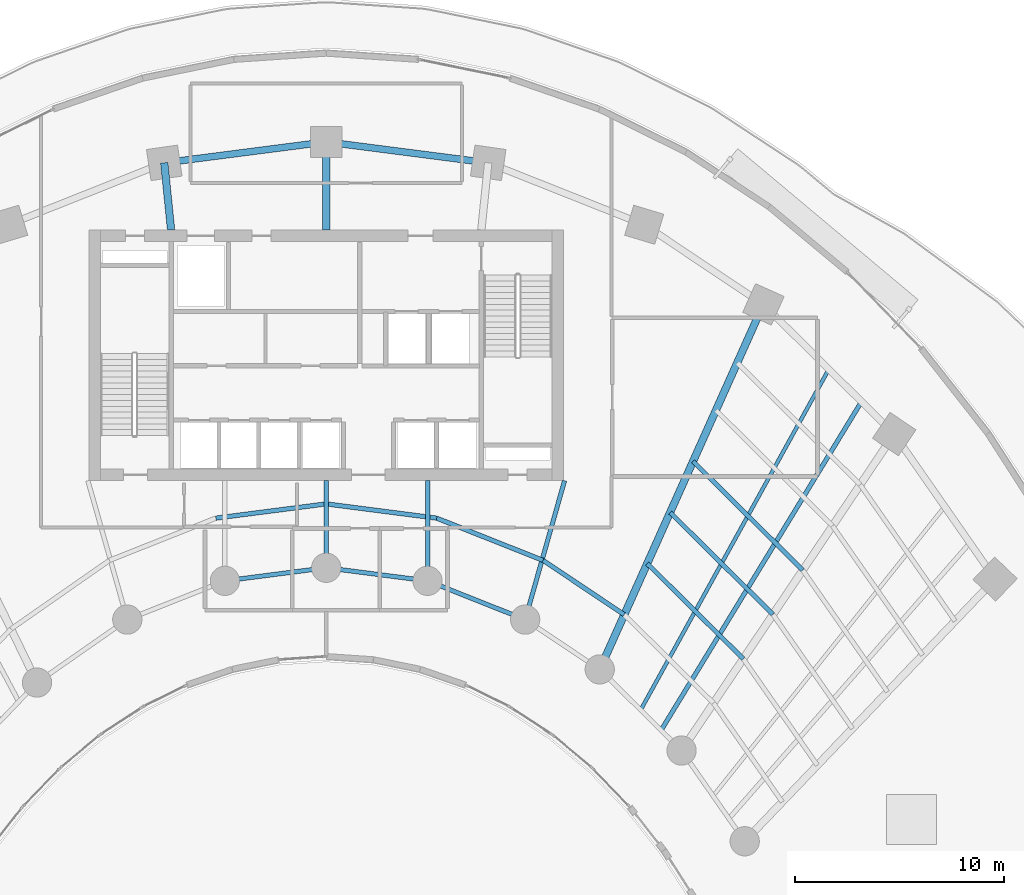
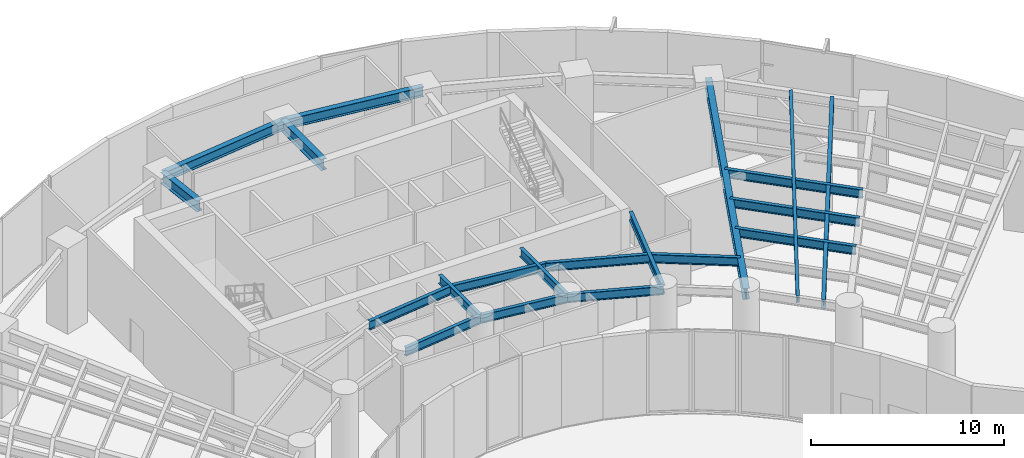
# One storey, part 5 of 17: 20 beams.
"""IFC4 building model written with IfcOpenShell, lengths in metres."""

import ifcopenshell
import ifcopenshell.guid

model = None  # the IFC model being written
_history = None  # IfcOwnerHistory: only IFC2X3 demands one
_inside = {}  # id of a spatial element -> (the spatial element, [elements in it])
_under = {}  # id of a project, library or spatial element -> (it, [spatial elements below it])
_declared = {}  # id of a project -> (the project, [libraries it declares])
_typed = {}  # id of a type object -> (the type object, [elements of that type])
_made_of = {}  # id of a material, layer set ... -> (it, [elements and type objects made of it])


def new_model(schema):
    """Start an empty IFC model of exactly this schema.

    Asked for "IFC4X3", IfcOpenShell would pick the latest addendum, in which some entities
    have other attributes; the version numbers below select the first issue.
    IFC2X3 requires an IfcOwnerHistory on every rooted entity: one is made here for all.
    """
    global model, _history
    if schema == "IFC4X3":
        model = ifcopenshell.file(schema_version=(4, 3, 0, 0))
    else:
        model = ifcopenshell.file(schema=schema)
    _inside.clear()
    _under.clear()
    _declared.clear()
    _typed.clear()
    _made_of.clear()
    _history = None
    if model.schema == "IFC2X3":
        org = make("IfcOrganization", Name="unknown")
        user = make(
            "IfcPersonAndOrganization",
            ThePerson=make("IfcPerson", FamilyName="unknown"),
            TheOrganization=org,
        )
        app = make(
            "IfcApplication",
            ApplicationDeveloper=org,
            Version="unknown",
            ApplicationFullName="unknown",
            ApplicationIdentifier="unknown",
        )
        _history = make(
            "IfcOwnerHistory",
            OwningUser=user,
            OwningApplication=app,
            ChangeAction="ADDED",
            CreationDate=0,
        )
    return model


def make(cls, **values):
    """One entity of the class cls with the attributes given. An attribute that is None is left unset."""
    return model.create_entity(
        cls, **{name: value for name, value in values.items() if value is not None}
    )


def rooted(cls, **values):
    """An entity with a GlobalId (a new one), such as an element, a storey or a relation."""
    return make(cls, GlobalId=ifcopenshell.guid.new(), OwnerHistory=_history, **values)


def si_unit(unit_type, name, prefix=None):
    """IfcSIUnit, for example si_unit("LENGTHUNIT", "METRE", prefix="MILLI")."""
    return make("IfcSIUnit", UnitType=unit_type, Prefix=prefix, Name=name)


def assignment(units):
    """IfcUnitAssignment: the units of a project."""
    return None if units is None else make("IfcUnitAssignment", Units=units)


def point(xyz):
    """IfcCartesianPoint."""
    return None if xyz is None else make("IfcCartesianPoint", Coordinates=xyz)


def direction(xyz):
    """IfcDirection."""
    return None if xyz is None else make("IfcDirection", DirectionRatios=xyz)


def frame(location, z_axis=None, x_axis=None):
    """IfcAxis2Placement3D, a coordinate frame: its origin and axes. An axis left out is left unset."""
    return make(
        "IfcAxis2Placement3D",
        Location=point(location),
        Axis=direction(z_axis),
        RefDirection=direction(x_axis),
    )


def frame_2d(location, x_axis=None):
    """IfcAxis2Placement2D, a coordinate frame in the plane: its origin and x axis."""
    return make(
        "IfcAxis2Placement2D", Location=point(location), RefDirection=direction(x_axis)
    )


def origin():
    """The frame at (0, 0, 0) with its axes left unset."""
    return frame((0.0, 0.0, 0.0))


def origin_2d():
    """The frame at (0, 0) in the plane with its x axis left unset."""
    return frame_2d((0.0, 0.0))


def place(relative_to, where):
    """IfcLocalPlacement: puts the frame where relative to a parent placement (None: the world)."""
    return make(
        "IfcLocalPlacement", PlacementRelTo=relative_to, RelativePlacement=where
    )


def context(
    kind, dimensions, precision=None, world=None, true_north=None, identifier=None
):
    """IfcGeometricRepresentationContext, for example the 3D "Model" context."""
    return make(
        "IfcGeometricRepresentationContext",
        ContextIdentifier=identifier,
        ContextType=kind,
        CoordinateSpaceDimension=dimensions,
        Precision=precision,
        WorldCoordinateSystem=world,
        TrueNorth=true_north,
    )


def subcontext(parent, identifier, kind, view, scale=None):
    """IfcGeometricRepresentationSubContext, for example "Body" below "Model"."""
    return make(
        "IfcGeometricRepresentationSubContext",
        ContextIdentifier=identifier,
        ContextType=kind,
        ParentContext=parent,
        TargetScale=scale,
        TargetView=view,
    )


def project(units=None, contexts=None):
    """IfcProject with its units and contexts."""
    return rooted(
        "IfcProject",
        Name="project",
        RepresentationContexts=contexts,
        UnitsInContext=assignment(units),
    )


def spatial(cls, under=None, at=None, **own):
    """A site, building, storey or space (cls), placed at a placement, below another one or the project."""
    s = rooted(cls, ObjectPlacement=at, **own)
    if under is not None:
        _under.setdefault(under.id(), (under, []))[1].append(s)
    return s


def profile(cls, at=None, kind="AREA", **sizes):
    """A parametric profile (cls). Its sizes go by their IFC names, for example OverallWidth=200.0."""
    return make(cls, ProfileType=kind, Position=at, **sizes)


def i_section(**sizes):
    """IfcIShapeProfileDef."""
    return profile("IfcIShapeProfileDef", **sizes)


def extrude(swept, where, along, depth):
    """IfcExtrudedAreaSolid: the profile swept, set in the frame where, extruded along a direction by depth."""
    return make(
        "IfcExtrudedAreaSolid",
        SweptArea=swept,
        Position=where,
        ExtrudedDirection=direction(along),
        Depth=depth,
    )


def shape(context_of_items, identifier, shape_type, items):
    """IfcShapeRepresentation: the items that make up one representation, for example the "Body"."""
    return make(
        "IfcShapeRepresentation",
        ContextOfItems=context_of_items,
        RepresentationIdentifier=identifier,
        RepresentationType=shape_type,
        Items=items,
    )


def source(mapping_origin, context_of_items, identifier, shape_type, items):
    """IfcRepresentationMap: a shape defined once, which mapped items show again and again."""
    return make(
        "IfcRepresentationMap",
        MappingOrigin=mapping_origin,
        MappedRepresentation=shape(context_of_items, identifier, shape_type, items),
    )


def transform(
    local_origin,
    x_axis=None,
    y_axis=None,
    z_axis=None,
    scale=None,
    scale2=None,
    scale3=None,
    uniform=True,
):
    """IfcCartesianTransformationOperator3D, or its non-uniform kind. x_axis, y_axis, z_axis: its Axis1, 2, 3."""
    if uniform:
        return make(
            "IfcCartesianTransformationOperator3D",
            Axis1=direction(x_axis),
            Axis2=direction(y_axis),
            LocalOrigin=point(local_origin),
            Scale=scale,
            Axis3=direction(z_axis),
        )
    return make(
        "IfcCartesianTransformationOperator3DnonUniform",
        Axis1=direction(x_axis),
        Axis2=direction(y_axis),
        LocalOrigin=point(local_origin),
        Scale=scale,
        Axis3=direction(z_axis),
        Scale2=scale2,
        Scale3=scale3,
    )


def mapped(mapping_source, mapping_target):
    """IfcMappedItem: shows the shape of a source again, moved by a transform."""
    return make(
        "IfcMappedItem", MappingSource=mapping_source, MappingTarget=mapping_target
    )


def material(Name=None, Category=None):
    """IfcMaterial."""
    return make("IfcMaterial", Name=Name, Category=Category)


def material_profile(
    of_material, cross_section, Name=None, Category=None, Priority=None
):
    """IfcMaterialProfile: a cross section and its material."""
    return make(
        "IfcMaterialProfile",
        Name=Name,
        Material=of_material,
        Profile=cross_section,
        Priority=Priority,
        Category=Category,
    )


def profile_set(profiles, Name=None, composite=None):
    """IfcMaterialProfileSet."""
    return make(
        "IfcMaterialProfileSet",
        Name=Name,
        MaterialProfiles=profiles,
        CompositeProfile=composite,
    )


def made_of(thing, what):
    """Note that an element or type object is made of a material, layer set ...; save() writes the relation."""
    if what is not None:
        _made_of.setdefault(what.id(), (what, []))[1].append(thing)
    return thing


def type_object(cls, material=None, **own):
    """A type object (cls), such as IfcWallType, which elements share."""
    return made_of(rooted(cls, **own), material)


def type_shapes(of_type, sources):
    """Give a type object the sources (RepresentationMaps) that its elements show as mapped items."""
    of_type.RepresentationMaps = sources


def element(
    cls,
    number,
    at=None,
    inside=None,
    cuts=None,
    type_object=None,
    material=None,
    context=None,
    identifier="Body",
    shape_type=None,
    held_by="IfcProductDefinitionShape",
    body=None,
    shapes=None,
    **own,
):
    """One element of the class cls, such as IfcWall. Its Tag is "e" and its number.

    at: its placement. inside: the storey or other place that contains it. cuts: it is an
    opening in that element (IfcRelVoidsElement). A single representation is given by context,
    identifier, shape_type and body (its items); several are given by shapes. held_by: the class
    of the entity that holds the representations. save() writes the other relations.
    """
    e = rooted(cls, Tag="e%d" % number, ObjectPlacement=at, **own)
    if body is not None:
        shapes = [shape(context, identifier, shape_type, body)]
    if shapes is not None:
        e.Representation = make(held_by, Representations=shapes)
    if inside is not None:
        _inside.setdefault(inside.id(), (inside, []))[1].append(e)
    if cuts is not None:
        rooted(
            "IfcRelVoidsElement", RelatingBuildingElement=cuts, RelatedOpeningElement=e
        )
    if type_object is not None:
        _typed.setdefault(type_object.id(), (type_object, []))[1].append(e)
    return made_of(e, material)


def aggregate(whole, parts):
    """IfcRelAggregates: a whole, such as a stair, and the parts it consists of."""
    return rooted("IfcRelAggregates", RelatingObject=whole, RelatedObjects=parts)


def save(model, path):
    """Write the relations noted so far, then the file.

    IfcRelAggregates (storeys below a building ...), IfcRelContainedInSpatialStructure (elements
    in a storey), IfcRelDefinesByType, IfcRelAssociatesMaterial and IfcRelDeclares: one each for
    every whole, place, type object, material and project.
    """
    for whole, parts in _under.values():
        aggregate(whole, parts)
    for where, things in _inside.values():
        rooted(
            "IfcRelContainedInSpatialStructure",
            RelatedElements=things,
            RelatingStructure=where,
        )
    for kind, things in _typed.values():
        rooted("IfcRelDefinesByType", RelatedObjects=things, RelatingType=kind)
    for what, things in _made_of.values():
        rooted("IfcRelAssociatesMaterial", RelatedObjects=things, RelatingMaterial=what)
    for by, libraries in _declared.values():
        rooted("IfcRelDeclares", RelatingContext=by, RelatedDefinitions=libraries)
    model.write(path)


model = new_model("IFC4")

# Units and contexts
model_context = context("Model", 3, precision=1e-05, world=origin(), true_north=direction((0.0, 1.0)))
body_context = subcontext(model_context, "Body", "Model", "MODEL_VIEW")
ifc_project = project(units=[si_unit("LENGTHUNIT", "METRE"), si_unit("AREAUNIT", "SQUARE_METRE"), si_unit("VOLUMEUNIT", "CUBIC_METRE"), si_unit("PLANEANGLEUNIT", "RADIAN"), si_unit("MASSUNIT", "GRAM", prefix="KILO")], contexts=[model_context])

# Site, building, storey
site_placement = place(None, origin())
site = spatial("IfcSite", under=ifc_project, at=site_placement, CompositionType="ELEMENT")
building_placement = place(site_placement, origin())
building = spatial("IfcBuilding", under=site, at=building_placement, Name="Breltana Convention Tower", CompositionType="ELEMENT")
storey_placement = place(building_placement, frame((0.0, 0.0, 30.0)))
storey = spatial("IfcBuildingStorey", under=building, at=storey_placement, Name="L05", CompositionType="ELEMENT", Elevation=30.0)

# Beams
ifc_material = material(Name="Steel ASTM A992 Grade 50", Category="steel")
ifc_material_profile_1 = material_profile(ifc_material, i_section(OverallWidth=0.323974609375, OverallDepth=0.611083984375, WebThickness=0.0126953125, FlangeThickness=0.01904296875, at=origin_2d()), Name="W24X104")
ifc_profile_set_1 = profile_set([ifc_material_profile_1], Name="Steel ASTM A992 Grade 50")
beam_type_1 = type_object("IfcBeamType", Name="BM-SP-W24X104", PredefinedType="SPANDREL", material=ifc_profile_set_1)
shared_shape_1 = source(origin(), body_context, "Body", "SweptSolid", [
    extrude(i_section(OverallWidth=0.323974609375, OverallDepth=0.611083984375, WebThickness=0.0126953125, FlangeThickness=0.01904296875, at=origin_2d()), origin(), (0.0, 0.0, 1.0), 7.81103515625),
])
for number, where, z_axis, x_axis, name in (
    (1, (40.253173828125, 75.404296875, 4.8544921875), (0.991775179127, 0.127992164083, 0.0), (-0.127992164083, 0.991775179127, 0.0), "L05 Outer Spandrel Beam 05"),
    (2, (48.0, 76.404052734375, 4.8544921875), (0.991775179127, -0.127992164083, 0.0), (0.127992164083, 0.991775179127, 0.0), "L05 Outer Spandrel Beam 06"),
):
    element("IfcBeam", number, at=place(storey_placement, frame(where, z_axis=z_axis, x_axis=x_axis)), inside=storey, type_object=beam_type_1, Name=name, PredefinedType="SPANDREL", context=body_context, shape_type="MappedRepresentation", body=[
        mapped(shared_shape_1, transform((0.0, 0.0, 0.0), scale=1.0)),
    ])
ifc_material_profile_2 = material_profile(ifc_material, i_section(OverallWidth=0.2099609375, OverallDepth=0.537109375, WebThickness=0.010986328125, FlangeThickness=0.017333984375, at=origin_2d()), Name="W21X68")
ifc_profile_set_2 = profile_set([ifc_material_profile_2], Name="Steel ASTM A992 Grade 50")
beam_type_2 = type_object("IfcBeamType", Name="BM-BM-W21X68", PredefinedType="BEAM", material=ifc_profile_set_2)
shared_shape_2 = source(origin(), body_context, "Body", "SweptSolid", [
    extrude(i_section(OverallWidth=0.2099609375, OverallDepth=0.537109375, WebThickness=0.010986328125, FlangeThickness=0.017333984375, at=origin_2d()), origin(), (0.0, 0.0, 1.0), 6.904541015625),
])
type_shapes(beam_type_2, [shared_shape_2])
beam_1_placement = place(storey_placement, frame((59.39990234375, 60.199951171875, 4.8916015625), z_axis=(-0.273006781054, -0.962012108811, 0.0), x_axis=(0.962012108811, -0.273006781054, 0.0)))
element("IfcBeam", 3, at=beam_1_placement, inside=storey, type_object=beam_type_2, Name="L05 South Core Tie Girder R08", PredefinedType="BEAM", context=body_context, shape_type="MappedRepresentation", body=[
    mapped(shared_shape_2, transform((0.0, 0.0, 0.0), scale=1.0)),
])
shared_shape_3 = source(origin(), body_context, "Body", "SweptSolid", [
    extrude(i_section(OverallWidth=0.2099609375, OverallDepth=0.537109375, WebThickness=0.010986328125, FlangeThickness=0.017333984375, at=origin_2d()), origin(), (0.0, 0.0, 1.0), 4.789306640625),
])
beam_2_placement = place(storey_placement, frame((52.846435546875, 60.199951171875, 4.8916015625), z_axis=(0.0, -1.0, 0.0), x_axis=(1.0, 0.0, 0.0)))
element("IfcBeam", 4, at=beam_2_placement, inside=storey, type_object=beam_type_2, Name="L05 South Core Tie Girder R07", PredefinedType="BEAM", context=body_context, shape_type="MappedRepresentation", body=[
    mapped(shared_shape_3, transform((0.0, 0.0, 0.0), scale=1.0)),
])
ifc_material_profile_3 = material_profile(ifc_material, i_section(OverallWidth=0.35498046875, OverallDepth=0.696044921875, WebThickness=0.015380859375, FlangeThickness=0.02490234375, at=origin_2d()), Name="W27X146")
ifc_profile_set_3 = profile_set([ifc_material_profile_3], Name="Steel ASTM A992 Grade 50")
beam_type_3 = type_object("IfcBeamType", Name="BM-RG-W27X146", PredefinedType="USERDEFINED", material=ifc_profile_set_3)
shared_shape_4 = source(origin(), body_context, "Body", "SweptSolid", [
    extrude(i_section(OverallWidth=0.35498046875, OverallDepth=0.696044921875, WebThickness=0.015380859375, FlangeThickness=0.02490234375, at=origin_2d()), origin(), (0.0, 0.0, 1.0), 3.220947265625),
])
beam_3_placement = place(storey_placement, frame((40.580078125, 72.199951171875, 4.81201171875), z_axis=(-0.101492254858, 0.994836329355, 0.0), x_axis=(-0.994836329355, -0.101492254858, 0.0)))
element("IfcBeam", 5, at=beam_3_placement, inside=storey, type_object=beam_type_3, Name="L05 North Core Radial Girder R05", ObjectType="GIRDER", PredefinedType="USERDEFINED", context=body_context, shape_type="MappedRepresentation", body=[
    mapped(shared_shape_4, transform((0.0, 0.0, 0.0), scale=1.0)),
])
shared_shape_5 = source(origin(), body_context, "Body", "SweptSolid", [
    extrude(i_section(OverallWidth=0.2099609375, OverallDepth=0.537109375, WebThickness=0.010986328125, FlangeThickness=0.017333984375, at=origin_2d()), origin(), (0.0, 0.0, 1.0), 4.1640625),
])
beam_4_placement = place(storey_placement, frame((48.0, 60.199951171875, 4.8916015625), z_axis=(0.0, -1.0, 0.0), x_axis=(1.0, 0.0, 0.0)))
element("IfcBeam", 6, at=beam_4_placement, inside=storey, type_object=beam_type_2, Name="L05 South Core Tie Girder R06", PredefinedType="BEAM", context=body_context, shape_type="MappedRepresentation", body=[
    mapped(shared_shape_5, transform((0.0, 0.0, 0.0), scale=1.0)),
])
shared_shape_6 = source(origin(), body_context, "Body", "SweptSolid", [
    extrude(i_section(OverallWidth=0.35498046875, OverallDepth=0.696044921875, WebThickness=0.015380859375, FlangeThickness=0.02490234375, at=origin_2d()), origin(), (0.0, 0.0, 1.0), 4.2041015625),
])
beam_5_placement = place(storey_placement, frame((48.0, 72.199951171875, 4.81201171875), z_axis=(0.0, 1.0, 0.0), x_axis=(-1.0, 0.0, 0.0)))
element("IfcBeam", 7, at=beam_5_placement, inside=storey, type_object=beam_type_3, Name="L05 North Core Radial Girder R06", ObjectType="GIRDER", PredefinedType="USERDEFINED", context=body_context, shape_type="MappedRepresentation", body=[
    mapped(shared_shape_6, transform((0.0, 0.0, 0.0), scale=1.0)),
])
shared_shape_7 = source(origin(), body_context, "Body", "SweptSolid", [
    extrude(i_section(OverallWidth=0.35498046875, OverallDepth=0.696044921875, WebThickness=0.015380859375, FlangeThickness=0.02490234375, at=origin_2d()), origin(), (0.0, 0.0, 1.0), 19.133544921875),
])
beam_6_placement = place(storey_placement, frame((61.08203125, 51.174560546875, 4.81201171875), z_axis=(0.409144564164, 0.912469575172, 0.0), x_axis=(-0.912469575172, 0.409144564164, 0.0)))
element("IfcBeam", 8, at=beam_6_placement, inside=storey, type_object=beam_type_3, Name="L05 Radial Floor Girder R09", ObjectType="GIRDER", PredefinedType="USERDEFINED", context=body_context, shape_type="MappedRepresentation", body=[
    mapped(shared_shape_7, transform((0.0, 0.0, 0.0), scale=1.0)),
])
shared_shape_8 = source(origin(), body_context, "Body", "SweptSolid", [
    extrude(i_section(OverallWidth=0.2099609375, OverallDepth=0.537109375, WebThickness=0.010986328125, FlangeThickness=0.017333984375, at=origin_2d()), origin(), (0.0, 0.0, 1.0), 5.022705078125),
])
beam_7_placement = place(storey_placement, frame((52.846435546875, 55.41064453125, 4.8916015625), z_axis=(0.929458966248, -0.368925507469, 0.0), x_axis=(0.368925507469, 0.929458966248, 0.0)))
element("IfcBeam", 9, at=beam_7_placement, inside=storey, type_object=beam_type_2, Name="L05 Inner Ring Beam 07", PredefinedType="BEAM", context=body_context, shape_type="MappedRepresentation", body=[
    mapped(shared_shape_8, transform((0.0, 0.0, 0.0), scale=1.0)),
])
ifc_material_profile_4 = material_profile(ifc_material, i_section(OverallWidth=0.214111328125, OverallDepth=0.549072265625, WebThickness=0.0146484375, FlangeThickness=0.023681640625, at=origin_2d()), Name="W21X93")
ifc_profile_set_4 = profile_set([ifc_material_profile_4], Name="Steel ASTM A992 Grade 50")
beam_type_4 = type_object("IfcBeamType", Name="BM-JSG-03", PredefinedType="JOIST", material=ifc_profile_set_4)
shared_shape_9 = source(origin(), body_context, "Body", "SweptSolid", [
    extrude(i_section(OverallWidth=0.214111328125, OverallDepth=0.549072265625, WebThickness=0.0146484375, FlangeThickness=0.023681640625, at=origin_2d()), origin(), (0.0, 0.0, 1.0), 5.473876953125),
])
beam_8_placement = place(storey_placement, frame((53.281494140625, 58.409912109375, 4.885498046875), z_axis=(0.92945162863, -0.368943993091, 0.0), x_axis=(0.368943993091, 0.92945162863, 0.0)))
element("IfcBeam", 10, at=beam_8_placement, inside=storey, type_object=beam_type_4, Name="L05 Composite Floor Joist 07.1", PredefinedType="JOIST", context=body_context, shape_type="MappedRepresentation", body=[
    mapped(shared_shape_9, transform((0.0, 0.0, 0.0), scale=1.0)),
])
shared_shape_10 = source(origin(), body_context, "Body", "SweptSolid", [
    extrude(i_section(OverallWidth=0.2099609375, OverallDepth=0.537109375, WebThickness=0.010986328125, FlangeThickness=0.017333984375, at=origin_2d()), origin(), (0.0, 0.0, 1.0), 4.88671875),
])
for number, where, z_axis, x_axis, name in (
    (11, (43.153564453125, 55.41064453125, 4.8916015625), (0.991780525565, 0.127950729231, 0.0), (-0.127950729231, 0.991780525565, 0.0), "L05 Inner Ring Beam 05"),
    (12, (48.0, 56.035888671875, 4.8916015625), (0.991780525565, -0.127950729231, 0.0), (0.127950729231, 0.991780525565, 0.0), "L05 Inner Ring Beam 06"),
):
    element("IfcBeam", number, at=place(storey_placement, frame(where, z_axis=z_axis, x_axis=x_axis)), inside=storey, type_object=beam_type_2, Name=name, PredefinedType="BEAM", context=body_context, shape_type="MappedRepresentation", body=[
        mapped(shared_shape_10, transform((0.0, 0.0, 0.0), scale=1.0)),
    ])
shared_shape_11 = source(origin(), body_context, "Body", "SweptSolid", [
    extrude(i_section(OverallWidth=0.214111328125, OverallDepth=0.549072265625, WebThickness=0.0146484375, FlangeThickness=0.023681640625, at=origin_2d()), origin(), (0.0, 0.0, 1.0), 5.3251953125),
])
for number, where, z_axis, x_axis, name in (
    (13, (42.718505859375, 58.409912109375, 4.885498046875), (0.991779931204, 0.127955336199, 0.0), (-0.127955336199, 0.991779931204, 0.0), "L05 Composite Floor Joist 05.1"),
    (14, (48.0, 59.09130859375, 4.885498046875), (0.991779931204, -0.127955336199, 0.0), (0.127955336199, 0.991779931204, 0.0), "L05 Composite Floor Joist 06.1"),
):
    element("IfcBeam", number, at=place(storey_placement, frame(where, z_axis=z_axis, x_axis=x_axis)), inside=storey, type_object=beam_type_4, Name=name, PredefinedType="JOIST", context=body_context, shape_type="MappedRepresentation", body=[
        mapped(shared_shape_11, transform((0.0, 0.0, 0.0), scale=1.0)),
    ])
shared_shape_12 = source(origin(), body_context, "Body", "SweptSolid", [
    extrude(i_section(OverallWidth=0.214111328125, OverallDepth=0.549072265625, WebThickness=0.0146484375, FlangeThickness=0.023681640625, at=origin_2d()), origin(), (0.0, 0.0, 1.0), 4.675048828125),
])
beam_9_placement = place(storey_placement, frame((58.369140625, 56.390380859375, 4.885498046875), z_axis=(0.831487469976, -0.555543506193, 0.0), x_axis=(0.555543506193, 0.831487469976, 0.0)))
element("IfcBeam", 15, at=beam_9_placement, inside=storey, type_object=beam_type_4, Name="L05 Composite Floor Joist 08.1", PredefinedType="JOIST", context=body_context, shape_type="MappedRepresentation", body=[
    mapped(shared_shape_12, transform((0.0, 0.0, 0.0), scale=1.0)),
])
shared_shape_13 = source(origin(), body_context, "Body", "SweptSolid", [
    extrude(i_section(OverallWidth=0.214111328125, OverallDepth=0.549072265625, WebThickness=0.0146484375, FlangeThickness=0.023681640625, at=origin_2d()), origin(), (0.0, 0.0, 1.0), 6.468017578125),
])
beam_10_placement = place(storey_placement, frame((63.352294921875, 56.237548828125, 4.885498046875), z_axis=(0.710101160442, -0.704099667617, 0.0), x_axis=(0.704099667617, 0.710101160442, 0.0)))
element("IfcBeam", 16, at=beam_10_placement, inside=storey, type_object=beam_type_4, Name="L05 Composite Floor Joist 09.2", PredefinedType="JOIST", context=body_context, shape_type="MappedRepresentation", body=[
    mapped(shared_shape_13, transform((0.0, 0.0, 0.0), scale=1.0)),
])
shared_shape_14 = source(origin(), body_context, "Body", "SweptSolid", [
    extrude(i_section(OverallWidth=0.214111328125, OverallDepth=0.549072265625, WebThickness=0.0146484375, FlangeThickness=0.023681640625, at=origin_2d()), origin(), (0.0, 0.0, 1.0), 6.93017578125),
])
beam_11_placement = place(storey_placement, frame((64.4482421875, 58.681884765625, 4.885498046875), z_axis=(0.710112451674, -0.70408827996, 0.0), x_axis=(0.70408827996, 0.710112451674, 0.0)))
element("IfcBeam", 17, at=beam_11_placement, inside=storey, type_object=beam_type_4, Name="L05 Composite Floor Joist 09.3", PredefinedType="JOIST", context=body_context, shape_type="MappedRepresentation", body=[
    mapped(shared_shape_14, transform((0.0, 0.0, 0.0), scale=1.0)),
])
shared_shape_15 = source(origin(), body_context, "Body", "SweptSolid", [
    extrude(i_section(OverallWidth=0.214111328125, OverallDepth=0.549072265625, WebThickness=0.0146484375, FlangeThickness=0.023681640625, at=origin_2d()), origin(), (0.0, 0.0, 1.0), 7.391845703125),
])
beam_12_placement = place(storey_placement, frame((65.544189453125, 61.1259765625, 4.885498046875), z_axis=(0.710105958319, -0.704094828812, 0.0), x_axis=(0.704094828812, 0.710105958319, 0.0)))
element("IfcBeam", 18, at=beam_12_placement, inside=storey, type_object=beam_type_4, Name="L05 Composite Floor Joist 09.4", PredefinedType="JOIST", context=body_context, shape_type="MappedRepresentation", body=[
    mapped(shared_shape_15, transform((0.0, 0.0, 0.0), scale=1.0)),
])
ifc_material_profile_5 = material_profile(ifc_material, i_section(OverallWidth=0.179931640625, OverallDepth=0.4130859375, WebThickness=0.009765625, FlangeThickness=0.01611328125, at=origin_2d()), Name="W16X50")
ifc_profile_set_5 = profile_set([ifc_material_profile_5], Name="Steel ASTM A992 Grade 50")
beam_type_5 = type_object("IfcBeamType", Name="BM-JSG-08", PredefinedType="JOIST", material=ifc_profile_set_5)
shared_shape_16 = source(origin(), body_context, "Body", "SweptSolid", [
    extrude(i_section(OverallWidth=0.179931640625, OverallDepth=0.4130859375, WebThickness=0.009765625, FlangeThickness=0.01611328125, at=origin_2d()), origin(), (0.0, 0.0, 1.0), 18.617431640625),
])
beam_13_placement = place(storey_placement, frame((63.038818359375, 49.234130859375, 4.95361328125), z_axis=(0.483405602507, 0.875396495004, 0.0), x_axis=(-0.875396495004, 0.483405602507, 0.0)))
element("IfcBeam", 19, at=beam_13_placement, inside=storey, type_object=beam_type_5, Name="L05 Mid-Bay Radial Trimmer 09", PredefinedType="JOIST", context=body_context, shape_type="MappedRepresentation", body=[
    mapped(shared_shape_16, transform((0.0, 0.0, 0.0), scale=1.0)),
])
shared_shape_17 = source(origin(), body_context, "Body", "SweptSolid", [
    extrude(i_section(OverallWidth=0.214111328125, OverallDepth=0.549072265625, WebThickness=0.0146484375, FlangeThickness=0.023681640625, at=origin_2d()), origin(), (0.0, 0.0, 1.0), 18.409423828125),
])
beam_14_placement = place(storey_placement, frame((64.017333984375, 48.263916015625, 4.885498046875), z_axis=(0.520682167606, 0.853750596098, 0.0), x_axis=(-0.853750596098, 0.520682167606, 0.0)))
element("IfcBeam", 20, at=beam_14_placement, inside=storey, type_object=beam_type_4, Name="L05 Quarter-Bay Radial Trimmer 09", PredefinedType="JOIST", context=body_context, shape_type="MappedRepresentation", body=[
    mapped(shared_shape_17, transform((0.0, 0.0, 0.0), scale=1.0)),
])

save(model, "model.ifc")
